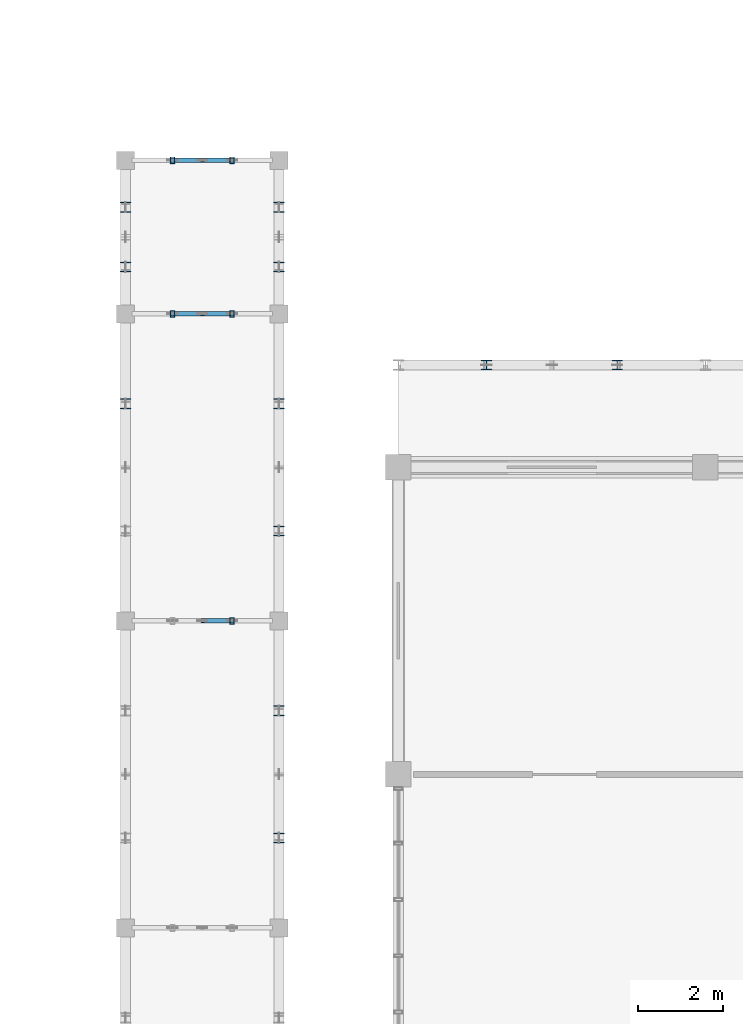
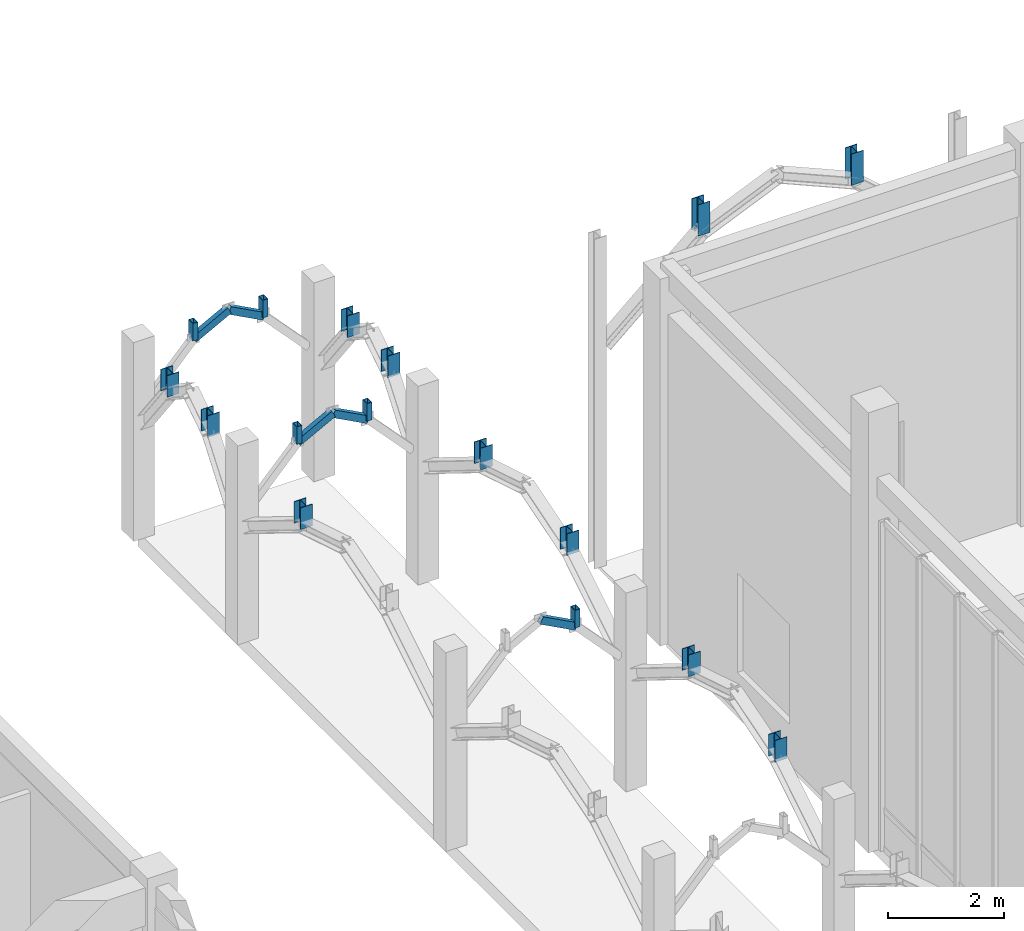
# One storey, part 47 of 138: 21 members.
"""IFC4 building model written with IfcOpenShell, lengths in metres."""

import ifcopenshell
import ifcopenshell.guid

model = None  # the IFC model being written
_history = None  # IfcOwnerHistory: only IFC2X3 demands one
_inside = {}  # id of a spatial element -> (the spatial element, [elements in it])
_under = {}  # id of a project, library or spatial element -> (it, [spatial elements below it])
_declared = {}  # id of a project -> (the project, [libraries it declares])
_typed = {}  # id of a type object -> (the type object, [elements of that type])
_made_of = {}  # id of a material, layer set ... -> (it, [elements and type objects made of it])


def new_model(schema):
    """Start an empty IFC model of exactly this schema.

    Asked for "IFC4X3", IfcOpenShell would pick the latest addendum, in which some entities
    have other attributes; the version numbers below select the first issue.
    IFC2X3 requires an IfcOwnerHistory on every rooted entity: one is made here for all.
    """
    global model, _history
    if schema == "IFC4X3":
        model = ifcopenshell.file(schema_version=(4, 3, 0, 0))
    else:
        model = ifcopenshell.file(schema=schema)
    _inside.clear()
    _under.clear()
    _declared.clear()
    _typed.clear()
    _made_of.clear()
    _history = None
    if model.schema == "IFC2X3":
        org = make("IfcOrganization", Name="unknown")
        user = make(
            "IfcPersonAndOrganization",
            ThePerson=make("IfcPerson", FamilyName="unknown"),
            TheOrganization=org,
        )
        app = make(
            "IfcApplication",
            ApplicationDeveloper=org,
            Version="unknown",
            ApplicationFullName="unknown",
            ApplicationIdentifier="unknown",
        )
        _history = make(
            "IfcOwnerHistory",
            OwningUser=user,
            OwningApplication=app,
            ChangeAction="ADDED",
            CreationDate=0,
        )
    return model


def make(cls, **values):
    """One entity of the class cls with the attributes given. An attribute that is None is left unset."""
    return model.create_entity(
        cls, **{name: value for name, value in values.items() if value is not None}
    )


def rooted(cls, **values):
    """An entity with a GlobalId (a new one), such as an element, a storey or a relation."""
    return make(cls, GlobalId=ifcopenshell.guid.new(), OwnerHistory=_history, **values)


def si_unit(unit_type, name, prefix=None):
    """IfcSIUnit, for example si_unit("LENGTHUNIT", "METRE", prefix="MILLI")."""
    return make("IfcSIUnit", UnitType=unit_type, Prefix=prefix, Name=name)


def assignment(units):
    """IfcUnitAssignment: the units of a project."""
    return None if units is None else make("IfcUnitAssignment", Units=units)


def point(xyz):
    """IfcCartesianPoint."""
    return None if xyz is None else make("IfcCartesianPoint", Coordinates=xyz)


def direction(xyz):
    """IfcDirection."""
    return None if xyz is None else make("IfcDirection", DirectionRatios=xyz)


def frame(location, z_axis=None, x_axis=None):
    """IfcAxis2Placement3D, a coordinate frame: its origin and axes. An axis left out is left unset."""
    return make(
        "IfcAxis2Placement3D",
        Location=point(location),
        Axis=direction(z_axis),
        RefDirection=direction(x_axis),
    )


def frame_2d(location, x_axis=None):
    """IfcAxis2Placement2D, a coordinate frame in the plane: its origin and x axis."""
    return make(
        "IfcAxis2Placement2D", Location=point(location), RefDirection=direction(x_axis)
    )


def origin():
    """The frame at (0, 0, 0) with its axes left unset."""
    return frame((0.0, 0.0, 0.0))


def origin_2d():
    """The frame at (0, 0) in the plane with its x axis left unset."""
    return frame_2d((0.0, 0.0))


def place(relative_to, where):
    """IfcLocalPlacement: puts the frame where relative to a parent placement (None: the world)."""
    return make(
        "IfcLocalPlacement", PlacementRelTo=relative_to, RelativePlacement=where
    )


def context(
    kind, dimensions, precision=None, world=None, true_north=None, identifier=None
):
    """IfcGeometricRepresentationContext, for example the 3D "Model" context."""
    return make(
        "IfcGeometricRepresentationContext",
        ContextIdentifier=identifier,
        ContextType=kind,
        CoordinateSpaceDimension=dimensions,
        Precision=precision,
        WorldCoordinateSystem=world,
        TrueNorth=true_north,
    )


def subcontext(parent, identifier, kind, view, scale=None):
    """IfcGeometricRepresentationSubContext, for example "Body" below "Model"."""
    return make(
        "IfcGeometricRepresentationSubContext",
        ContextIdentifier=identifier,
        ContextType=kind,
        ParentContext=parent,
        TargetScale=scale,
        TargetView=view,
    )


def project(units=None, contexts=None):
    """IfcProject with its units and contexts."""
    return rooted(
        "IfcProject",
        Name="project",
        RepresentationContexts=contexts,
        UnitsInContext=assignment(units),
    )


def spatial(cls, under=None, at=None, **own):
    """A site, building, storey or space (cls), placed at a placement, below another one or the project."""
    s = rooted(cls, ObjectPlacement=at, **own)
    if under is not None:
        _under.setdefault(under.id(), (under, []))[1].append(s)
    return s


def profile(cls, at=None, kind="AREA", **sizes):
    """A parametric profile (cls). Its sizes go by their IFC names, for example OverallWidth=200.0."""
    return make(cls, ProfileType=kind, Position=at, **sizes)


def hollow_rectangle(**sizes):
    """IfcRectangleHollowProfileDef."""
    return profile("IfcRectangleHollowProfileDef", **sizes)


def i_section(**sizes):
    """IfcIShapeProfileDef."""
    return profile("IfcIShapeProfileDef", **sizes)


def extrude(swept, where, along, depth):
    """IfcExtrudedAreaSolid: the profile swept, set in the frame where, extruded along a direction by depth."""
    return make(
        "IfcExtrudedAreaSolid",
        SweptArea=swept,
        Position=where,
        ExtrudedDirection=direction(along),
        Depth=depth,
    )


def shape(context_of_items, identifier, shape_type, items):
    """IfcShapeRepresentation: the items that make up one representation, for example the "Body"."""
    return make(
        "IfcShapeRepresentation",
        ContextOfItems=context_of_items,
        RepresentationIdentifier=identifier,
        RepresentationType=shape_type,
        Items=items,
    )


def material(Name=None, Category=None):
    """IfcMaterial."""
    return make("IfcMaterial", Name=Name, Category=Category)


def material_profile(
    of_material, cross_section, Name=None, Category=None, Priority=None
):
    """IfcMaterialProfile: a cross section and its material."""
    return make(
        "IfcMaterialProfile",
        Name=Name,
        Material=of_material,
        Profile=cross_section,
        Priority=Priority,
        Category=Category,
    )


def profile_set(profiles, Name=None, composite=None):
    """IfcMaterialProfileSet."""
    return make(
        "IfcMaterialProfileSet",
        Name=Name,
        MaterialProfiles=profiles,
        CompositeProfile=composite,
    )


def made_of(thing, what):
    """Note that an element or type object is made of a material, layer set ...; save() writes the relation."""
    if what is not None:
        _made_of.setdefault(what.id(), (what, []))[1].append(thing)
    return thing


def type_object(cls, material=None, **own):
    """A type object (cls), such as IfcWallType, which elements share."""
    return made_of(rooted(cls, **own), material)


def element(
    cls,
    number,
    at=None,
    inside=None,
    cuts=None,
    type_object=None,
    material=None,
    context=None,
    identifier="Body",
    shape_type=None,
    held_by="IfcProductDefinitionShape",
    body=None,
    shapes=None,
    **own,
):
    """One element of the class cls, such as IfcWall. Its Tag is "e" and its number.

    at: its placement. inside: the storey or other place that contains it. cuts: it is an
    opening in that element (IfcRelVoidsElement). A single representation is given by context,
    identifier, shape_type and body (its items); several are given by shapes. held_by: the class
    of the entity that holds the representations. save() writes the other relations.
    """
    e = rooted(cls, Tag="e%d" % number, ObjectPlacement=at, **own)
    if body is not None:
        shapes = [shape(context, identifier, shape_type, body)]
    if shapes is not None:
        e.Representation = make(held_by, Representations=shapes)
    if inside is not None:
        _inside.setdefault(inside.id(), (inside, []))[1].append(e)
    if cuts is not None:
        rooted(
            "IfcRelVoidsElement", RelatingBuildingElement=cuts, RelatedOpeningElement=e
        )
    if type_object is not None:
        _typed.setdefault(type_object.id(), (type_object, []))[1].append(e)
    return made_of(e, material)


def aggregate(whole, parts):
    """IfcRelAggregates: a whole, such as a stair, and the parts it consists of."""
    return rooted("IfcRelAggregates", RelatingObject=whole, RelatedObjects=parts)


def save(model, path):
    """Write the relations noted so far, then the file.

    IfcRelAggregates (storeys below a building ...), IfcRelContainedInSpatialStructure (elements
    in a storey), IfcRelDefinesByType, IfcRelAssociatesMaterial and IfcRelDeclares: one each for
    every whole, place, type object, material and project.
    """
    for whole, parts in _under.values():
        aggregate(whole, parts)
    for where, things in _inside.values():
        rooted(
            "IfcRelContainedInSpatialStructure",
            RelatedElements=things,
            RelatingStructure=where,
        )
    for kind, things in _typed.values():
        rooted("IfcRelDefinesByType", RelatedObjects=things, RelatingType=kind)
    for what, things in _made_of.values():
        rooted("IfcRelAssociatesMaterial", RelatedObjects=things, RelatingMaterial=what)
    for by, libraries in _declared.values():
        rooted("IfcRelDeclares", RelatingContext=by, RelatedDefinitions=libraries)
    model.write(path)


model = new_model("IFC4")

# Units and contexts
model_context = context("Model", 3, precision=1e-05, world=origin(), true_north=direction((0.0, 1.0)))
body_context = subcontext(model_context, "Body", "Model", "MODEL_VIEW")
ifc_project = project(units=[si_unit("LENGTHUNIT", "METRE"), si_unit("AREAUNIT", "SQUARE_METRE"), si_unit("VOLUMEUNIT", "CUBIC_METRE"), si_unit("PLANEANGLEUNIT", "RADIAN"), si_unit("MASSUNIT", "GRAM", prefix="KILO"), si_unit("THERMODYNAMICTEMPERATUREUNIT", "KELVIN"), si_unit("POWERUNIT", "WATT")], contexts=[model_context])

# Site, building, storey
site_placement = place(None, origin())
site = spatial("IfcSite", under=ifc_project, at=site_placement, CompositionType="ELEMENT")
building_placement = place(site_placement, origin())
building = spatial("IfcBuilding", under=site, at=building_placement, Name="Tavuni Mirador Residences", CompositionType="ELEMENT")
storey_placement = place(building_placement, origin())
storey = spatial("IfcBuildingStorey", under=building, at=storey_placement, Name="L00", CompositionType="ELEMENT", Elevation=0.0)

# Members
ifc_material = material(Name="Structural steel S355", Category="steel")
ifc_material_profile_1 = material_profile(ifc_material, hollow_rectangle(XDim=0.10009765625, YDim=0.14990234375, WallThickness=0.008056640625, at=origin_2d()), Name="RHS 150x100x8.0", Category="steel")
ifc_profile_set_1 = profile_set([ifc_material_profile_1], Name="Structural steel S355")
member_type_1 = type_object("IfcMemberType", Name="MT-BR-RHS150", PredefinedType="BRACE", material=ifc_profile_set_1)
member_1_placement = place(storey_placement, frame((35.0, 97.199951171875, 4.080078125), z_axis=(0.882676699417, 0.0, -0.469980685035), x_axis=(0.0, 1.0, 0.0)))
element("IfcMember", 1, at=member_1_placement, inside=storey, type_object=member_type_1, Name="ARCH-COLO-T-06-S2", PredefinedType="BRACE", context=body_context, shape_type="SweptSolid", body=[
    extrude(hollow_rectangle(XDim=0.10009765625, YDim=0.14990234375, WallThickness=0.008056640625, at=origin_2d()), origin(), (0.0, 0.0, 1.0), 0.792724609375),
])
for number, where, z_axis, x_axis, name in (
    (2, (35.69970703125, 97.199951171875, 3.70751953125), (0.0, 0.0, 1.0), (1.0, 0.0, 0.0), "ARCH-COLO-T-06-V2"),
    (3, (34.30029296875, 104.39990234375, 3.70751953125), (0.0, 0.0, 1.0), (1.0, 0.0, 0.0), "ARCH-COLO-T-07-V1"),
):
    element("IfcMember", number, at=place(storey_placement, frame(where, z_axis=z_axis, x_axis=x_axis)), inside=storey, type_object=member_type_1, Name=name, PredefinedType="BRACE", context=body_context, shape_type="SweptSolid", body=[
        extrude(hollow_rectangle(XDim=0.10009765625, YDim=0.14990234375, WallThickness=0.008056640625, at=origin_2d()), origin(), (0.0, 0.0, 1.0), 0.37255859375),
    ])
for number, where, z_axis, x_axis, name in (
    (4, (34.30029296875, 104.39990234375, 3.70751953125), (0.882676699417, 0.0, 0.469980685035), (0.0, 1.0, 0.0), "ARCH-COLO-T-07-S1"),
    (5, (35.0, 104.39990234375, 4.080078125), (0.882676699417, 0.0, -0.469980685035), (0.0, 1.0, 0.0), "ARCH-COLO-T-07-S2"),
):
    element("IfcMember", number, at=place(storey_placement, frame(where, z_axis=z_axis, x_axis=x_axis)), inside=storey, type_object=member_type_1, Name=name, PredefinedType="BRACE", context=body_context, shape_type="SweptSolid", body=[
        extrude(hollow_rectangle(XDim=0.10009765625, YDim=0.14990234375, WallThickness=0.008056640625, at=origin_2d()), origin(), (0.0, 0.0, 1.0), 0.792724609375),
    ])
for number, where, z_axis, x_axis, name in (
    (6, (35.69970703125, 104.39990234375, 3.70751953125), (0.0, 0.0, 1.0), (1.0, 0.0, 0.0), "ARCH-COLO-T-07-V2"),
    (7, (34.30029296875, 108.0, 3.70751953125), (0.0, 0.0, 1.0), (1.0, 0.0, 0.0), "ARCH-COLO-T-08-V1"),
):
    element("IfcMember", number, at=place(storey_placement, frame(where, z_axis=z_axis, x_axis=x_axis)), inside=storey, type_object=member_type_1, Name=name, PredefinedType="BRACE", context=body_context, shape_type="SweptSolid", body=[
        extrude(hollow_rectangle(XDim=0.10009765625, YDim=0.14990234375, WallThickness=0.008056640625, at=origin_2d()), origin(), (0.0, 0.0, 1.0), 0.37255859375),
    ])
for number, where, z_axis, x_axis, name in (
    (8, (34.30029296875, 108.0, 3.70751953125), (0.882676699417, 0.0, 0.469980685035), (0.0, 1.0, 0.0), "ARCH-COLO-T-08-S1"),
    (9, (35.0, 108.0, 4.080078125), (0.882676699417, 0.0, -0.469980685035), (0.0, 1.0, 0.0), "ARCH-COLO-T-08-S2"),
):
    element("IfcMember", number, at=place(storey_placement, frame(where, z_axis=z_axis, x_axis=x_axis)), inside=storey, type_object=member_type_1, Name=name, PredefinedType="BRACE", context=body_context, shape_type="SweptSolid", body=[
        extrude(hollow_rectangle(XDim=0.10009765625, YDim=0.14990234375, WallThickness=0.008056640625, at=origin_2d()), origin(), (0.0, 0.0, 1.0), 0.792724609375),
    ])
member_2_placement = place(storey_placement, frame((35.69970703125, 108.0, 3.70751953125), z_axis=(0.0, 0.0, 1.0), x_axis=(1.0, 0.0, 0.0)))
element("IfcMember", 10, at=member_2_placement, inside=storey, type_object=member_type_1, Name="ARCH-COLO-T-08-V2", PredefinedType="BRACE", context=body_context, shape_type="SweptSolid", body=[
    extrude(hollow_rectangle(XDim=0.10009765625, YDim=0.14990234375, WallThickness=0.008056640625, at=origin_2d()), origin(), (0.0, 0.0, 1.0), 0.37255859375),
])
ifc_material_profile_2 = material_profile(ifc_material, i_section(OverallWidth=0.239990234375, OverallDepth=0.22998046875, WebThickness=0.007568359375, FlangeThickness=0.011962890625, FilletRadius=0.02099609375, at=origin_2d()), Name="HEA 240", Category="steel")
ifc_profile_set_2 = profile_set([ifc_material_profile_2], Name="Structural steel S355")
member_type_2 = type_object("IfcMemberType", Name="MT-CH-HEA240", PredefinedType="CHORD", material=ifc_profile_set_2)
for number, where, z_axis, x_axis, name in (
    (11, (36.800048828125, 92.1083984375, 3.62353515625), (0.0, 0.0, 1.0), (1.0, 0.0, 0.0), "ARCH-COLO-E-05-V1"),
    (12, (36.800048828125, 95.091552734375, 3.62353515625), (0.0, 0.0, 1.0), (1.0, 0.0, 0.0), "ARCH-COLO-E-05-V2"),
    (13, (33.199951171875, 102.29150390625, 3.62353515625), (0.0, 0.0, 1.0), (1.0, 0.0, 0.0), "ARCH-COLO-W-06-V2"),
    (14, (36.800048828125, 99.308349609375, 3.62353515625), (0.0, 0.0, 1.0), (1.0, 0.0, 0.0), "ARCH-COLO-E-06-V1"),
    (15, (36.800048828125, 102.29150390625, 3.62353515625), (0.0, 0.0, 1.0), (1.0, 0.0, 0.0), "ARCH-COLO-E-06-V2"),
    (16, (33.199951171875, 105.50048828125, 3.62353515625), (0.0, 0.0, 1.0), (1.0, 0.0, 0.0), "ARCH-COLO-W-07-V1"),
    (17, (33.199951171875, 106.899658203125, 3.62353515625), (0.0, 0.0, 1.0), (1.0, 0.0, 0.0), "ARCH-COLO-W-07-V2"),
    (18, (36.800048828125, 105.50048828125, 3.62353515625), (0.0, 0.0, 1.0), (1.0, 0.0, 0.0), "ARCH-COLO-E-07-V1"),
    (19, (36.800048828125, 106.899658203125, 3.62353515625), (0.0, 0.0, 1.0), (1.0, 0.0, 0.0), "ARCH-COLO-E-07-V2"),
):
    element("IfcMember", number, at=place(storey_placement, frame(where, z_axis=z_axis, x_axis=x_axis)), inside=storey, type_object=member_type_2, Name=name, PredefinedType="CHORD", context=body_context, shape_type="SweptSolid", body=[
        extrude(i_section(OverallWidth=0.239990234375, OverallDepth=0.22998046875, WebThickness=0.007568359375, FlangeThickness=0.011962890625, FilletRadius=0.02099609375, at=origin_2d()), origin(), (0.0, 0.0, 1.0), 0.45654296875),
    ])
for number, where, z_axis, x_axis, name in (
    (20, (41.668701171875, 103.199951171875, 6.301513671875), (0.0, 0.0, 1.0), (1.0, 0.0, 0.0), "ARCH-HALL-N-00-V1"),
    (21, (44.731201171875, 103.199951171875, 6.301513671875), (0.0, 0.0, 1.0), (1.0, 0.0, 0.0), "ARCH-HALL-N-00-V2"),
):
    element("IfcMember", number, at=place(storey_placement, frame(where, z_axis=z_axis, x_axis=x_axis)), inside=storey, type_object=member_type_2, Name=name, PredefinedType="CHORD", context=body_context, shape_type="SweptSolid", body=[
        extrude(i_section(OverallWidth=0.239990234375, OverallDepth=0.22998046875, WebThickness=0.007568359375, FlangeThickness=0.011962890625, FilletRadius=0.02099609375, at=origin_2d()), origin(), (0.0, 0.0, 1.0), 0.661865234375),
    ])

save(model, "model.ifc")
